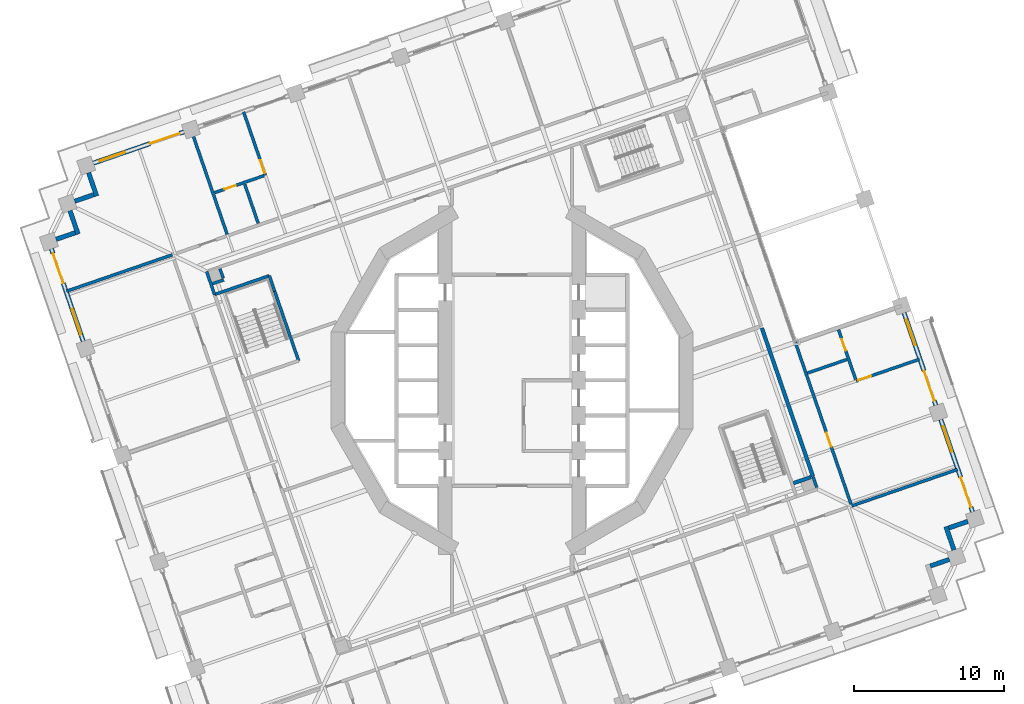
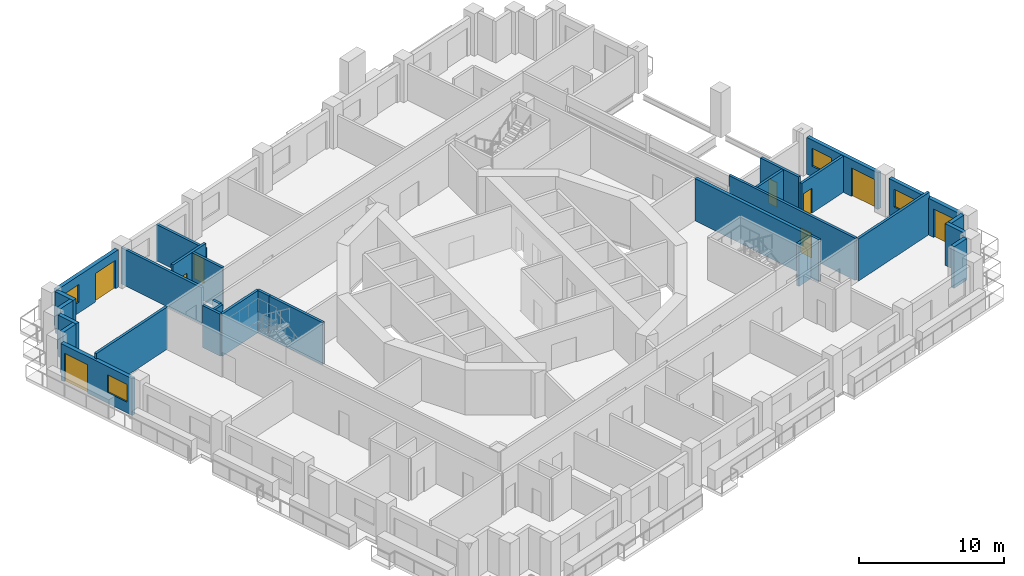
# One storey, part 10 of 19: 30 walls, 9 doors, 4 windows, 13 openings.
"""IFC4 building model written with IfcOpenShell, lengths in metres."""

from ifc_helpers import new_model, si_unit, direction, frame, frame_2d, origin, place, context, subcontext, project, spatial, rectangle, extrude, material, layer, layer_set, type_object, element, fill, save


model = new_model("IFC4")

# Units and contexts
model_context = context("Model", 3, precision=1e-05, world=origin(), true_north=direction((0.0, 1.0)))
body_context = subcontext(model_context, "Body", "Model", "MODEL_VIEW")
ifc_project = project(units=[si_unit("LENGTHUNIT", "METRE"), si_unit("AREAUNIT", "SQUARE_METRE"), si_unit("VOLUMEUNIT", "CUBIC_METRE"), si_unit("PLANEANGLEUNIT", "RADIAN"), si_unit("MASSUNIT", "GRAM", prefix="KILO")], contexts=[model_context])

# Site, building, storey
site_placement = place(None, origin())
site = spatial("IfcSite", under=ifc_project, at=site_placement, CompositionType="ELEMENT")
building_placement = place(site_placement, origin())
building = spatial("IfcBuilding", under=site, at=building_placement, Name="Cantera Rosa Tower", CompositionType="ELEMENT")
storey_placement = place(building_placement, frame((0.0, 0.0, 126.89990234375)))
storey = spatial("IfcBuildingStorey", under=building, at=storey_placement, Name="L26", CompositionType="ELEMENT", Elevation=126.89990234375)

# Walls
ifc_material_1 = material(Name="Gypsum board partition")
ifc_layer_1 = layer(ifc_material_1, 0.199951171875)
ifc_layer_set_1 = layer_set([ifc_layer_1], Name="CORRIDOR WALL 200 H3550")
wall_type_1 = type_object("IfcWallType", Name="CORRIDOR WALL 200 H3550", PredefinedType="PARTITIONING", material=ifc_layer_set_1)
wall_1_placement = place(storey_placement, frame((-20.37451171875, 7.262451171875, 0.0), z_axis=(0.0, 0.0, 1.0), x_axis=(0.325532736599, -0.945530770204, 0.0)))
element("IfcWall", 1, at=wall_1_placement, inside=storey, type_object=wall_type_1, Name="CORRIDOR WALL L26-003", PredefinedType="PARTITIONING", context=body_context, shape_type="SweptSolid", body=[
    extrude(rectangle(XDim=1.626708984375, YDim=0.199951171875, at=frame_2d((0.8134765625, 0.0))), origin(), (0.0, 0.0, 1.0), 3.550048828125),
])
wall_2_placement = place(storey_placement, frame((20.33544921875, -7.14892578125, 0.0), z_axis=(0.0, 0.0, 1.0), x_axis=(-0.32575306004, 0.945454887276, 0.0)))
element("IfcWall", 2, at=wall_2_placement, inside=storey, type_object=wall_type_1, Name="CORRIDOR WALL L26-095", PredefinedType="PARTITIONING", context=body_context, shape_type="SweptSolid", body=[
    extrude(rectangle(XDim=0.760009765625, YDim=0.199951171875, at=frame_2d((0.3798828125, 0.0))), origin(), (0.0, 0.0, 1.0), 3.550048828125),
])

# Wall, opening, door
wall_3_placement = place(storey_placement, frame((22.623291015625, -8.264892578125, 0.0), z_axis=(0.0, 0.0, 1.0), x_axis=(-0.325576165676, 0.945515817077, 0.0)))
wall_3 = element("IfcWall", 3, at=wall_3_placement, inside=storey, type_object=wall_type_1, Name="CORRIDOR WALL L26-098", PredefinedType="PARTITIONING", context=body_context, shape_type="SweptSolid", body=[
    extrude(rectangle(XDim=11.544921875, YDim=0.199951171875, at=frame_2d((5.7724609375, 0.0))), origin(), (0.0, 0.0, 1.0), 3.550048828125),
])
opening_1_placement = place(wall_3_placement, frame((4.050048828125, 0.0, 0.0)))
opening_1 = element("IfcOpeningElement", 4, at=opening_1_placement, cuts=wall_3, Name="Opening L26-015", PredefinedType="OPENING", context=body_context, shape_type="SweptSolid", body=[
    extrude(rectangle(XDim=1.0, YDim=2.10009765625, at=frame_2d((0.5, 1.050048828125))), frame((0.0, 0.10986328125, 0.0), z_axis=(0.0, -1.0, 0.0), x_axis=(1.0, 0.0, 0.0)), (0.0, 0.0, 1.0), 0.219970703125),
])
ifc_material_2 = material(Name="Timber door leaf", Category="wood")
door_type_1 = type_object("IfcDoorType", Name="ENTRANCE DOOR 1000x2100", OperationType="NOTDEFINED", PredefinedType="DOOR", material=ifc_material_2)
door_1_placement = place(opening_1_placement, origin())
door_1 = element("IfcDoor", 5, at=door_1_placement, inside=storey, type_object=door_type_1, Name="DOOR L26-015", OperationType="NOTDEFINED", OverallHeight=2.10009765625, OverallWidth=1.0, PredefinedType="DOOR", context=body_context, shape_type="SweptSolid", body=[
    extrude(rectangle(XDim=1.0, YDim=2.10009765625, at=frame_2d((0.5, 1.050048828125))), frame((0.0, 0.02490234375, 0.0), z_axis=(0.0, -1.0, 0.0), x_axis=(1.0, 0.0, 0.0)), (0.0, 0.0, 1.0), 0.050048828125),
])
fill(opening_1, door_1)

# Walls
ifc_material_3 = material(Name="Hollow clay masonry with cantera stone cladding", Category="masonry")
ifc_layer_2 = layer(ifc_material_3, 0.300048828125)
ifc_layer_set_2 = layer_set([ifc_layer_2], Name="EW-LOGGIA 300")
wall_type_2 = type_object("IfcWallType", Name="EW-LOGGIA 300", PredefinedType="SOLIDWALL", material=ifc_layer_set_2)
wall_4_placement = place(storey_placement, frame((-28.250732421875, 13.857421875, 0.0), z_axis=(0.0, 0.0, 1.0), x_axis=(0.325666906351, -0.945484566827, 0.0)))
element("IfcWall", 6, at=wall_4_placement, inside=storey, type_object=wall_type_2, Name="EN-L26-W14a", PredefinedType="SOLIDWALL", context=body_context, shape_type="SweptSolid", body=[
    extrude(rectangle(XDim=1.64990234375, YDim=0.300048828125, at=frame_2d((0.824951171875, 0.0))), origin(), (0.0, 0.0, 1.0), 3.5),
])
wall_5_placement = place(storey_placement, frame((-27.904052734375, 12.390380859375, 0.0), z_axis=(0.0, 0.0, 1.0), x_axis=(-0.945545797087, -0.325489086777, 0.0)))
element("IfcWall", 7, at=wall_5_placement, inside=storey, type_object=wall_type_2, Name="EN-L26-W14b", PredefinedType="SOLIDWALL", context=body_context, shape_type="SweptSolid", body=[
    extrude(rectangle(XDim=1.35009765625, YDim=0.300048828125, at=frame_2d((0.675048828125, 0.0))), origin(), (0.0, 0.0, 1.0), 3.5),
])
wall_6_placement = place(storey_placement, frame((-29.490478515625, 11.315185546875, 0.0), z_axis=(0.0, 0.0, 1.0), x_axis=(0.32553462645, -0.945530119553, 0.0)))
element("IfcWall", 8, at=wall_6_placement, inside=storey, type_object=wall_type_2, Name="EN-L26-W15a", PredefinedType="SOLIDWALL", context=body_context, shape_type="SweptSolid", body=[
    extrude(rectangle(XDim=1.64990234375, YDim=0.300048828125, at=frame_2d((0.824951171875, 0.0))), origin(), (0.0, 0.0, 1.0), 3.5),
])
wall_7_placement = place(storey_placement, frame((-29.14404296875, 9.84814453125, 0.0), z_axis=(0.0, 0.0, 1.0), x_axis=(-0.945526634763, -0.325544748006, 0.0)))
element("IfcWall", 9, at=wall_7_placement, inside=storey, type_object=wall_type_2, Name="EN-L26-W15b", PredefinedType="SOLIDWALL", context=body_context, shape_type="SweptSolid", body=[
    extrude(rectangle(XDim=1.349853515625, YDim=0.300048828125, at=frame_2d((0.6748046875, 0.0))), origin(), (0.0, 0.0, 1.0), 3.5),
])
wall_8_placement = place(storey_placement, frame((27.904052734375, -12.390380859375, 0.0), z_axis=(0.0, 0.0, 1.0), x_axis=(0.945545797087, 0.325489086777, 0.0)))
element("IfcWall", 10, at=wall_8_placement, inside=storey, type_object=wall_type_2, Name="EN-L26-W29b", PredefinedType="SOLIDWALL", context=body_context, shape_type="SweptSolid", body=[
    extrude(rectangle(XDim=1.35009765625, YDim=0.300048828125, at=frame_2d((0.675048828125, 0.0))), origin(), (0.0, 0.0, 1.0), 3.5),
])
wall_9_placement = place(storey_placement, frame((29.490478515625, -11.315185546875, 0.0), z_axis=(0.0, 0.0, 1.0), x_axis=(-0.32553462645, 0.945530119553, 0.0)))
element("IfcWall", 11, at=wall_9_placement, inside=storey, type_object=wall_type_2, Name="EN-L26-W30a", PredefinedType="SOLIDWALL", context=body_context, shape_type="SweptSolid", body=[
    extrude(rectangle(XDim=1.64990234375, YDim=0.300048828125, at=frame_2d((0.824951171875, 0.0))), origin(), (0.0, 0.0, 1.0), 3.5),
])
wall_10_placement = place(storey_placement, frame((29.14404296875, -9.84814453125, 0.0), z_axis=(0.0, 0.0, 1.0), x_axis=(0.945526634763, 0.325544748006, 0.0)))
element("IfcWall", 12, at=wall_10_placement, inside=storey, type_object=wall_type_2, Name="EN-L26-W30b", PredefinedType="SOLIDWALL", context=body_context, shape_type="SweptSolid", body=[
    extrude(rectangle(XDim=1.349853515625, YDim=0.300048828125, at=frame_2d((0.6748046875, 0.0))), origin(), (0.0, 0.0, 1.0), 3.5),
])

# Wall, openings, window, door
ifc_material_4 = material(Name="Hollow clay masonry with cantera stone cladding", Category="masonry")
ifc_layer_3 = layer(ifc_material_4, 0.300048828125)
ifc_layer_set_3 = layer_set([ifc_layer_3], Name="EW-LOGGIA 300 H3090")
wall_type_3 = type_object("IfcWallType", Name="EW-LOGGIA 300 H3090", PredefinedType="SOLIDWALL", material=ifc_layer_set_3)
wall_11_placement = place(storey_placement, frame((30.73046875, -8.773193359375, 0.0), z_axis=(0.0, 0.0, 1.0), x_axis=(-0.325580990241, 0.945514155787, 0.0)))
wall_11 = element("IfcWall", 13, at=wall_11_placement, inside=storey, type_object=wall_type_3, Name="EN-L26-W01", PredefinedType="SOLIDWALL", context=body_context, shape_type="SweptSolid", body=[
    extrude(rectangle(XDim=6.52001953125, YDim=0.300048828125, at=frame_2d((3.260009765625, 0.0))), origin(), (0.0, 0.0, 1.0), 3.090087890625),
])
opening_2_placement = place(wall_11_placement, frame((0.330078125, 0.0, 0.0)))
opening_2 = element("IfcOpeningElement", 14, at=opening_2_placement, cuts=wall_11, Name="Opening L26-TD01", PredefinedType="OPENING", context=body_context, shape_type="SweptSolid", body=[
    extrude(rectangle(XDim=2.10009765625, YDim=2.39990234375, at=frame_2d((1.050048828125, 1.199951171875))), frame((0.0, 0.159912109375, 0.0), z_axis=(0.0, -1.0, 0.0), x_axis=(1.0, 0.0, 0.0)), (0.0, 0.0, 1.0), 0.320068359375),
])
opening_3_placement = place(wall_11_placement, frame((4.239990234375, 0.0, 0.89990234375)))
opening_3 = element("IfcOpeningElement", 15, at=opening_3_placement, cuts=wall_11, Name="Opening L26-W02", PredefinedType="OPENING", context=body_context, shape_type="SweptSolid", body=[
    extrude(rectangle(XDim=1.800048828125, YDim=1.5, at=frame_2d((0.89990234375, 0.75))), frame((0.0, 0.159912109375, 0.0), z_axis=(0.0, -1.0, 0.0), x_axis=(1.0, 0.0, 0.0)), (0.0, 0.0, 1.0), 0.320068359375),
])
ifc_material_5 = material(Name="Aluminium frame with clear glass", Category="aluminium")
window_type = type_object("IfcWindowType", Name="Hotel room window 1800x1500", PartitioningType="DOUBLE_PANEL_VERTICAL", PredefinedType="WINDOW", material=ifc_material_5)
window_1_placement = place(opening_3_placement, origin())
window_1 = element("IfcWindow", 16, at=window_1_placement, inside=storey, type_object=window_type, Name="WINDOW L26-W02", OverallHeight=1.5, OverallWidth=1.800048828125, PartitioningType="SINGLE_PANEL", PredefinedType="WINDOW", context=body_context, shape_type="SweptSolid", body=[
    extrude(rectangle(XDim=1.800048828125, YDim=1.5, at=frame_2d((0.89990234375, 0.75))), frame((0.0, 0.030029296875, 0.0), z_axis=(0.0, -1.0, 0.0), x_axis=(1.0, 0.0, 0.0)), (0.0, 0.0, 1.0), 0.06005859375),
])
fill(opening_3, window_1)
ifc_material_6 = material(Name="Aluminium frame with clear glass", Category="aluminium")
door_type_2 = type_object("IfcDoorType", Name="TD-H 2100x2400", OperationType="NOTDEFINED", PredefinedType="DOOR", material=ifc_material_6)
door_2_placement = place(opening_2_placement, origin())
door_2 = element("IfcDoor", 17, at=door_2_placement, inside=storey, type_object=door_type_2, Name="LOGGIA DOOR L26-TD01", OperationType="SLIDING_TO_LEFT", OverallHeight=2.39990234375, OverallWidth=2.10009765625, PredefinedType="DOOR", context=body_context, shape_type="SweptSolid", body=[
    extrude(rectangle(XDim=2.10009765625, YDim=2.39990234375, at=frame_2d((1.050048828125, 1.199951171875))), frame((0.0, 0.02490234375, 0.0), z_axis=(0.0, -1.0, 0.0), x_axis=(1.0, 0.0, 0.0)), (0.0, 0.0, 1.0), 0.050048828125),
])
fill(opening_2, door_2)

wall_12_placement = place(storey_placement, frame((28.2822265625, -1.662841796875, 0.0), z_axis=(0.0, 0.0, 1.0), x_axis=(-0.325580990241, 0.945514155787, 0.0)))
wall_12 = element("IfcWall", 18, at=wall_12_placement, inside=storey, type_object=wall_type_3, Name="EN-L26-W02", PredefinedType="SOLIDWALL", context=body_context, shape_type="SweptSolid", body=[
    extrude(rectangle(XDim=6.52001953125, YDim=0.300048828125, at=frame_2d((3.260009765625, 0.0))), origin(), (0.0, 0.0, 1.0), 3.090087890625),
])
opening_4_placement = place(wall_12_placement, frame((0.330078125, 0.0, 0.0)))
opening_4 = element("IfcOpeningElement", 19, at=opening_4_placement, cuts=wall_12, Name="Opening L26-TD03", PredefinedType="OPENING", context=body_context, shape_type="SweptSolid", body=[
    extrude(rectangle(XDim=2.10009765625, YDim=2.39990234375, at=frame_2d((1.050048828125, 1.199951171875))), frame((0.0, 0.159912109375, 0.0), z_axis=(0.0, -1.0, 0.0), x_axis=(1.0, 0.0, 0.0)), (0.0, 0.0, 1.0), 0.320068359375),
])
opening_5_placement = place(wall_12_placement, frame((4.239990234375, 0.0, 0.89990234375)))
opening_5 = element("IfcOpeningElement", 20, at=opening_5_placement, cuts=wall_12, Name="Opening L26-W04", PredefinedType="OPENING", context=body_context, shape_type="SweptSolid", body=[
    extrude(rectangle(XDim=1.800048828125, YDim=1.5, at=frame_2d((0.89990234375, 0.75))), frame((0.0, 0.159912109375, 0.0), z_axis=(0.0, -1.0, 0.0), x_axis=(1.0, 0.0, 0.0)), (0.0, 0.0, 1.0), 0.320068359375),
])
window_2_placement = place(opening_5_placement, origin())
window_2 = element("IfcWindow", 21, at=window_2_placement, inside=storey, type_object=window_type, Name="WINDOW L26-W04", OverallHeight=1.5, OverallWidth=1.800048828125, PartitioningType="SINGLE_PANEL", PredefinedType="WINDOW", context=body_context, shape_type="SweptSolid", body=[
    extrude(rectangle(XDim=1.800048828125, YDim=1.5, at=frame_2d((0.89990234375, 0.75))), frame((0.0, 0.030029296875, 0.0), z_axis=(0.0, -1.0, 0.0), x_axis=(1.0, 0.0, 0.0)), (0.0, 0.0, 1.0), 0.06005859375),
])
fill(opening_5, window_2)
door_3_placement = place(opening_4_placement, origin())
door_3 = element("IfcDoor", 22, at=door_3_placement, inside=storey, type_object=door_type_2, Name="LOGGIA DOOR L26-TD03", OperationType="SLIDING_TO_LEFT", OverallHeight=2.39990234375, OverallWidth=2.10009765625, PredefinedType="DOOR", context=body_context, shape_type="SweptSolid", body=[
    extrude(rectangle(XDim=2.10009765625, YDim=2.39990234375, at=frame_2d((1.050048828125, 1.199951171875))), frame((0.0, 0.02490234375, 0.0), z_axis=(0.0, -1.0, 0.0), x_axis=(1.0, 0.0, 0.0)), (0.0, 0.0, 1.0), 0.050048828125),
])
fill(opening_4, door_3)

wall_13_placement = place(storey_placement, frame((-30.73046875, 8.773193359375, 0.0), z_axis=(0.0, 0.0, 1.0), x_axis=(0.325580990241, -0.945514155787, 0.0)))
wall_13 = element("IfcWall", 23, at=wall_13_placement, inside=storey, type_object=wall_type_3, Name="EN-L26-W16", PredefinedType="SOLIDWALL", context=body_context, shape_type="SweptSolid", body=[
    extrude(rectangle(XDim=6.52001953125, YDim=0.300048828125, at=frame_2d((3.260009765625, 0.0))), origin(), (0.0, 0.0, 1.0), 3.090087890625),
])
opening_6_placement = place(wall_13_placement, frame((0.330078125, 0.0, 0.0)))
opening_6 = element("IfcOpeningElement", 24, at=opening_6_placement, cuts=wall_13, Name="Opening L26-TD19", PredefinedType="OPENING", context=body_context, shape_type="SweptSolid", body=[
    extrude(rectangle(XDim=2.10009765625, YDim=2.39990234375, at=frame_2d((1.050048828125, 1.199951171875))), frame((0.0, 0.159912109375, 0.0), z_axis=(0.0, -1.0, 0.0), x_axis=(1.0, 0.0, 0.0)), (0.0, 0.0, 1.0), 0.320068359375),
])
opening_7_placement = place(wall_13_placement, frame((4.239990234375, 0.0, 0.89990234375)))
opening_7 = element("IfcOpeningElement", 25, at=opening_7_placement, cuts=wall_13, Name="Opening L26-W20", PredefinedType="OPENING", context=body_context, shape_type="SweptSolid", body=[
    extrude(rectangle(XDim=1.800048828125, YDim=1.5, at=frame_2d((0.89990234375, 0.75))), frame((0.0, 0.159912109375, 0.0), z_axis=(0.0, -1.0, 0.0), x_axis=(1.0, 0.0, 0.0)), (0.0, 0.0, 1.0), 0.320068359375),
])
window_3_placement = place(opening_7_placement, origin())
window_3 = element("IfcWindow", 26, at=window_3_placement, inside=storey, type_object=window_type, Name="WINDOW L26-W20", OverallHeight=1.5, OverallWidth=1.800048828125, PartitioningType="SINGLE_PANEL", PredefinedType="WINDOW", context=body_context, shape_type="SweptSolid", body=[
    extrude(rectangle(XDim=1.800048828125, YDim=1.5, at=frame_2d((0.89990234375, 0.75))), frame((0.0, 0.030029296875, 0.0), z_axis=(0.0, -1.0, 0.0), x_axis=(1.0, 0.0, 0.0)), (0.0, 0.0, 1.0), 0.06005859375),
])
fill(opening_7, window_3)
door_4_placement = place(opening_6_placement, origin())
door_4 = element("IfcDoor", 27, at=door_4_placement, inside=storey, type_object=door_type_2, Name="LOGGIA DOOR L26-TD19", OperationType="SLIDING_TO_LEFT", OverallHeight=2.39990234375, OverallWidth=2.10009765625, PredefinedType="DOOR", context=body_context, shape_type="SweptSolid", body=[
    extrude(rectangle(XDim=2.10009765625, YDim=2.39990234375, at=frame_2d((1.050048828125, 1.199951171875))), frame((0.0, 0.02490234375, 0.0), z_axis=(0.0, -1.0, 0.0), x_axis=(1.0, 0.0, 0.0)), (0.0, 0.0, 1.0), 0.050048828125),
])
fill(opening_6, door_4)

ifc_material_7 = material(Name="Hollow clay masonry with cantera stone cladding", Category="masonry")
ifc_layer_4 = layer(ifc_material_7, 0.300048828125)
ifc_layer_set_4 = layer_set([ifc_layer_4], Name="EW-LOGGIA 300 H3140")
wall_type_4 = type_object("IfcWallType", Name="EW-LOGGIA 300 H3140", PredefinedType="SOLIDWALL", material=ifc_layer_set_4)
wall_14_placement = place(storey_placement, frame((-21.889404296875, 16.57666015625, 0.0), z_axis=(0.0, 0.0, 1.0), x_axis=(-0.945512753621, -0.325585062219, 0.0)))
wall_14 = element("IfcWall", 28, at=wall_14_placement, inside=storey, type_object=wall_type_4, Name="EN-L26-W13", PredefinedType="SOLIDWALL", context=body_context, shape_type="SweptSolid", body=[
    extrude(rectangle(XDim=6.39990234375, YDim=0.300048828125, at=frame_2d((3.199951171875, 0.0))), origin(), (0.0, 0.0, 1.0), 3.14013671875),
])
opening_8_placement = place(wall_14_placement, frame((0.300048828125, 0.0, 0.0)))
opening_8 = element("IfcOpeningElement", 29, at=opening_8_placement, cuts=wall_14, Name="Opening L26-TD17", PredefinedType="OPENING", context=body_context, shape_type="SweptSolid", body=[
    extrude(rectangle(XDim=2.10009765625, YDim=2.39990234375, at=frame_2d((1.050048828125, 1.199951171875))), frame((0.0, 0.159912109375, 0.0), z_axis=(0.0, -1.0, 0.0), x_axis=(1.0, 0.0, 0.0)), (0.0, 0.0, 1.0), 0.320068359375),
])
opening_9_placement = place(wall_14_placement, frame((4.14990234375, 0.0, 0.89990234375)))
opening_9 = element("IfcOpeningElement", 30, at=opening_9_placement, cuts=wall_14, Name="Opening L26-W18", PredefinedType="OPENING", context=body_context, shape_type="SweptSolid", body=[
    extrude(rectangle(XDim=1.800048828125, YDim=1.5, at=frame_2d((0.89990234375, 0.75))), frame((0.0, 0.159912109375, 0.0), z_axis=(0.0, -1.0, 0.0), x_axis=(1.0, 0.0, 0.0)), (0.0, 0.0, 1.0), 0.320068359375),
])
window_4_placement = place(opening_9_placement, origin())
window_4 = element("IfcWindow", 31, at=window_4_placement, inside=storey, type_object=window_type, Name="WINDOW L26-W18", OverallHeight=1.5, OverallWidth=1.800048828125, PartitioningType="SINGLE_PANEL", PredefinedType="WINDOW", context=body_context, shape_type="SweptSolid", body=[
    extrude(rectangle(XDim=1.800048828125, YDim=1.5, at=frame_2d((0.89990234375, 0.75))), frame((0.0, 0.030029296875, 0.0), z_axis=(0.0, -1.0, 0.0), x_axis=(1.0, 0.0, 0.0)), (0.0, 0.0, 1.0), 0.06005859375),
])
fill(opening_9, window_4)
door_5_placement = place(opening_8_placement, origin())
door_5 = element("IfcDoor", 32, at=door_5_placement, inside=storey, type_object=door_type_2, Name="LOGGIA DOOR L26-TD17", OperationType="SLIDING_TO_LEFT", OverallHeight=2.39990234375, OverallWidth=2.10009765625, PredefinedType="DOOR", context=body_context, shape_type="SweptSolid", body=[
    extrude(rectangle(XDim=2.10009765625, YDim=2.39990234375, at=frame_2d((1.050048828125, 1.199951171875))), frame((0.0, 0.02490234375, 0.0), z_axis=(0.0, -1.0, 0.0), x_axis=(1.0, 0.0, 0.0)), (0.0, 0.0, 1.0), 0.050048828125),
])
fill(opening_8, door_5)

# Wall, opening, door
ifc_material_8 = material(Name="Gypsum board partition")
ifc_layer_5 = layer(ifc_material_8, 0.199951171875)
ifc_layer_set_5 = layer_set([ifc_layer_5], Name="PARTITION 200 H3050")
wall_type_5 = type_object("IfcWallType", Name="PARTITION 200 H3050", PredefinedType="PARTITIONING", material=ifc_layer_set_5)
wall_15_placement = place(storey_placement, frame((-17.908447265625, 17.915771484375, 0.0), z_axis=(0.0, 0.0, 1.0), x_axis=(0.325568171973, -0.945518569568, 0.0)))
wall_15 = element("IfcWall", 33, at=wall_15_placement, inside=storey, type_object=wall_type_5, Name="PARTITION L26-011", PredefinedType="PARTITIONING", context=body_context, shape_type="SweptSolid", body=[
    extrude(rectangle(XDim=4.47021484375, YDim=0.199951171875, at=frame_2d((2.235107421875, 0.0))), origin(), (0.0, 0.0, 1.0), 3.050048828125),
])
opening_10_placement = place(wall_15_placement, frame((3.419921875, 0.0, 0.0)))
opening_10 = element("IfcOpeningElement", 34, at=opening_10_placement, cuts=wall_15, Name="Opening L26-022", PredefinedType="OPENING", context=body_context, shape_type="SweptSolid", body=[
    extrude(rectangle(XDim=0.89990234375, YDim=2.10009765625, at=frame_2d((0.449951171875, 1.050048828125))), frame((0.0, 0.10986328125, 0.0), z_axis=(0.0, -1.0, 0.0), x_axis=(1.0, 0.0, 0.0)), (0.0, 0.0, 1.0), 0.219970703125),
])
ifc_material_9 = material(Name="Timber door leaf", Category="wood")
door_type_3 = type_object("IfcDoorType", Name="ROOM DOOR 900x2100", OperationType="NOTDEFINED", PredefinedType="DOOR", material=ifc_material_9)
door_6_placement = place(opening_10_placement, origin())
door_6 = element("IfcDoor", 35, at=door_6_placement, inside=storey, type_object=door_type_3, Name="DOOR L26-022", OperationType="NOTDEFINED", OverallHeight=2.10009765625, OverallWidth=0.89990234375, PredefinedType="DOOR", context=body_context, shape_type="SweptSolid", body=[
    extrude(rectangle(XDim=0.89990234375, YDim=2.10009765625, at=frame_2d((0.449951171875, 1.050048828125))), frame((0.0, 0.02490234375, 0.0), z_axis=(0.0, -1.0, 0.0), x_axis=(1.0, 0.0, 0.0)), (0.0, 0.0, 1.0), 0.050048828125),
])
fill(opening_10, door_6)

wall_16_placement = place(storey_placement, frame((27.1923828125, 1.409912109375, 0.0), z_axis=(0.0, 0.0, 1.0), x_axis=(-0.945512780078, -0.325584985388, 0.0)))
wall_16 = element("IfcWall", 36, at=wall_16_placement, inside=storey, type_object=wall_type_5, Name="PARTITION L26-102", PredefinedType="PARTITIONING", context=body_context, shape_type="SweptSolid", body=[
    extrude(rectangle(XDim=4.469970703125, YDim=0.199951171875, at=frame_2d((2.23486328125, 0.0))), origin(), (0.0, 0.0, 1.0), 3.050048828125),
])
opening_11_placement = place(wall_16_placement, frame((3.419921875, 0.0, 0.0)))
opening_11 = element("IfcOpeningElement", 37, at=opening_11_placement, cuts=wall_16, Name="Opening L26-016", PredefinedType="OPENING", context=body_context, shape_type="SweptSolid", body=[
    extrude(rectangle(XDim=0.89990234375, YDim=2.10009765625, at=frame_2d((0.449951171875, 1.050048828125))), frame((0.0, 0.10986328125, 0.0), z_axis=(0.0, -1.0, 0.0), x_axis=(1.0, 0.0, 0.0)), (0.0, 0.0, 1.0), 0.219970703125),
])
door_7_placement = place(opening_11_placement, origin())
door_7 = element("IfcDoor", 38, at=door_7_placement, inside=storey, type_object=door_type_3, Name="DOOR L26-016", OperationType="NOTDEFINED", OverallHeight=2.10009765625, OverallWidth=0.89990234375, PredefinedType="DOOR", context=body_context, shape_type="SweptSolid", body=[
    extrude(rectangle(XDim=0.89990234375, YDim=2.10009765625, at=frame_2d((0.449951171875, 1.050048828125))), frame((0.0, 0.02490234375, 0.0), z_axis=(0.0, -1.0, 0.0), x_axis=(1.0, 0.0, 0.0)), (0.0, 0.0, 1.0), 0.050048828125),
])
fill(opening_11, door_7)

# Walls
ifc_material_10 = material(Name="Gypsum board partition")
ifc_layer_6 = layer(ifc_material_10, 0.199951171875)
ifc_layer_set_6 = layer_set([ifc_layer_6], Name="PARTITION 200 H3550")
wall_type_6 = type_object("IfcWallType", Name="PARTITION 200 H3550", PredefinedType="PARTITIONING", material=ifc_layer_set_6)
wall_17_placement = place(storey_placement, frame((-22.662353515625, 8.37841796875, 0.0), z_axis=(0.0, 0.0, 1.0), x_axis=(-0.945512517373, -0.325585748291, 0.0)))
element("IfcWall", 39, at=wall_17_placement, inside=storey, type_object=wall_type_6, Name="PARTITION L26-001", PredefinedType="PARTITIONING", context=body_context, shape_type="SweptSolid", body=[
    extrude(rectangle(XDim=7.469970703125, YDim=0.199951171875, at=frame_2d((3.73486328125, 0.0))), origin(), (0.0, 0.0, 1.0), 3.550048828125),
])
wall_18_placement = place(storey_placement, frame((-19.98681640625, 6.444091796875, 0.0), z_axis=(0.0, 0.0, 1.0), x_axis=(0.945586856903, 0.325369783557, 0.0)))
element("IfcWall", 40, at=wall_18_placement, inside=storey, type_object=wall_type_6, Name="PARTITION L26-004", PredefinedType="PARTITIONING", context=body_context, shape_type="SweptSolid", body=[
    extrude(rectangle(XDim=0.7998046875, YDim=0.199951171875, at=frame_2d((0.39990234375, 0.0))), origin(), (0.0, 0.0, 1.0), 3.550048828125),
])
wall_19_placement = place(storey_placement, frame((-19.26953125, 6.81787109375, 0.0), z_axis=(0.0, 0.0, 1.0), x_axis=(-0.32553462645, 0.945530119553, 0.0)))
element("IfcWall", 41, at=wall_19_placement, inside=storey, type_object=wall_type_6, Name="PARTITION L26-007", PredefinedType="PARTITIONING", context=body_context, shape_type="SweptSolid", body=[
    extrude(rectangle(XDim=0.659912109375, YDim=0.199951171875, at=frame_2d((0.330078125, 0.0))), origin(), (0.0, 0.0, 1.0), 3.550048828125),
])
wall_20_placement = place(storey_placement, frame((-17.83251953125, 13.08740234375, 0.0), z_axis=(0.0, 0.0, 1.0), x_axis=(0.325606281984, -0.945505446379, 0.0)))
element("IfcWall", 42, at=wall_20_placement, inside=storey, type_object=wall_type_6, Name="PARTITION L26-014", PredefinedType="PARTITIONING", context=body_context, shape_type="SweptSolid", body=[
    extrude(rectangle(XDim=2.760009765625, YDim=0.199951171875, at=frame_2d((1.3798828125, 0.0))), origin(), (0.0, 0.0, 1.0), 3.550048828125),
])

# Wall, opening, door
wall_21_placement = place(storey_placement, frame((-16.547607421875, 13.656494140625, 0.0), z_axis=(0.0, 0.0, 1.0), x_axis=(-0.945536877918, -0.325514995811, 0.0)))
wall_21 = element("IfcWall", 43, at=wall_21_placement, inside=storey, type_object=wall_type_6, Name="PARTITION L26-016", PredefinedType="PARTITIONING", context=body_context, shape_type="SweptSolid", body=[
    extrude(rectangle(XDim=3.47998046875, YDim=0.199951171875, at=frame_2d((1.739990234375, 0.0))), origin(), (0.0, 0.0, 1.0), 3.550048828125),
])
opening_12_placement = place(wall_21_placement, frame((1.989990234375, 0.0, 0.0)))
opening_12 = element("IfcOpeningElement", 44, at=opening_12_placement, cuts=wall_21, Name="Opening L26-023", PredefinedType="OPENING", context=body_context, shape_type="SweptSolid", body=[
    extrude(rectangle(XDim=0.800048828125, YDim=2.10009765625, at=frame_2d((0.39990234375, 1.050048828125))), frame((0.0, 0.10986328125, 0.0), z_axis=(0.0, -1.0, 0.0), x_axis=(1.0, 0.0, 0.0)), (0.0, 0.0, 1.0), 0.219970703125),
])
ifc_material_11 = material(Name="Timber door leaf", Category="wood")
door_type_4 = type_object("IfcDoorType", Name="BATHROOM DOOR 800x2100", OperationType="NOTDEFINED", PredefinedType="DOOR", material=ifc_material_11)
door_8_placement = place(opening_12_placement, origin())
door_8 = element("IfcDoor", 45, at=door_8_placement, inside=storey, type_object=door_type_4, Name="DOOR L26-023", OperationType="NOTDEFINED", OverallHeight=2.10009765625, OverallWidth=0.800048828125, PredefinedType="DOOR", context=body_context, shape_type="SweptSolid", body=[
    extrude(rectangle(XDim=0.800048828125, YDim=2.10009765625, at=frame_2d((0.39990234375, 1.050048828125))), frame((0.0, 0.02490234375, 0.0), z_axis=(0.0, -1.0, 0.0), x_axis=(1.0, 0.0, 0.0)), (0.0, 0.0, 1.0), 0.050048828125),
])
fill(opening_12, door_8)

# Wall
wall_22_placement = place(storey_placement, frame((22.3447265625, 1.390380859375, 0.0), z_axis=(0.0, 0.0, 1.0), x_axis=(-0.945528723608, -0.325538681008, 0.0)))
element("IfcWall", 46, at=wall_22_placement, inside=storey, type_object=wall_type_6, Name="PARTITION L26-097", PredefinedType="PARTITIONING", context=body_context, shape_type="SweptSolid", body=[
    extrude(rectangle(XDim=2.780029296875, YDim=0.199951171875, at=frame_2d((1.39013671875, 0.0))), origin(), (0.0, 0.0, 1.0), 3.550048828125),
])

# Wall, opening, door
wall_23_placement = place(storey_placement, frame((22.927001953125, 0.068115234375, 0.0), z_axis=(0.0, 0.0, 1.0), x_axis=(-0.325574193534, 0.945516496157, 0.0)))
wall_23 = element("IfcWall", 47, at=wall_23_placement, inside=storey, type_object=wall_type_6, Name="PARTITION L26-101", PredefinedType="PARTITIONING", context=body_context, shape_type="SweptSolid", body=[
    extrude(rectangle(XDim=3.5048828125, YDim=0.199951171875, at=frame_2d((1.75244140625, 0.0))), origin(), (0.0, 0.0, 1.0), 3.550048828125),
])
opening_13_placement = place(wall_23_placement, frame((2.030029296875, 0.0, 0.0)))
opening_13 = element("IfcOpeningElement", 48, at=opening_13_placement, cuts=wall_23, Name="Opening L26-017", PredefinedType="OPENING", context=body_context, shape_type="SweptSolid", body=[
    extrude(rectangle(XDim=0.800048828125, YDim=2.10009765625, at=frame_2d((0.39990234375, 1.050048828125))), frame((0.0, 0.10986328125, 0.0), z_axis=(0.0, -1.0, 0.0), x_axis=(1.0, 0.0, 0.0)), (0.0, 0.0, 1.0), 0.219970703125),
])
door_9_placement = place(opening_13_placement, origin())
door_9 = element("IfcDoor", 49, at=door_9_placement, inside=storey, type_object=door_type_4, Name="DOOR L26-017", OperationType="NOTDEFINED", OverallHeight=2.10009765625, OverallWidth=0.800048828125, PredefinedType="DOOR", context=body_context, shape_type="SweptSolid", body=[
    extrude(rectangle(XDim=0.800048828125, YDim=2.10009765625, at=frame_2d((0.39990234375, 1.050048828125))), frame((0.0, 0.02490234375, 0.0), z_axis=(0.0, -1.0, 0.0), x_axis=(1.0, 0.0, 0.0)), (0.0, 0.0, 1.0), 0.050048828125),
])
fill(opening_13, door_9)

# Walls
ifc_material_12 = material(Name="Gypsum board partition")
ifc_layer_7 = layer(ifc_material_12, 0.199951171875)
ifc_layer_set_7 = layer_set([ifc_layer_7], Name="PARTY WALL 200 H3050")
wall_type_7 = type_object("IfcWallType", Name="PARTY WALL 200 H3050", PredefinedType="PARTITIONING", material=ifc_layer_set_7)
wall_24_placement = place(storey_placement, frame((-19.00732421875, 9.74267578125, 0.0), z_axis=(0.0, 0.0, 1.0), x_axis=(-0.325603730276, 0.945506325114, 0.0)))
element("IfcWall", 50, at=wall_24_placement, inside=storey, type_object=wall_type_7, Name="PARTY WALL L26-008", PredefinedType="PARTITIONING", context=body_context, shape_type="SweptSolid", body=[
    extrude(rectangle(XDim=7.369873046875, YDim=0.199951171875, at=frame_2d((3.68505859375, 0.0))), origin(), (0.0, 0.0, 1.0), 3.050048828125),
])
ifc_material_13 = material(Name="Gypsum board partition")
ifc_layer_8 = layer(ifc_material_13, 0.199951171875)
ifc_layer_set_8 = layer_set([ifc_layer_8], Name="PARTY WALL 200 H3550")
wall_type_8 = type_object("IfcWallType", Name="PARTY WALL 200 H3550", PredefinedType="PARTITIONING", material=ifc_layer_set_8)
wall_25_placement = place(storey_placement, frame((29.725341796875, -5.9462890625, 0.0), z_axis=(0.0, 0.0, 1.0), x_axis=(-0.945512517373, -0.325585748291, 0.0)))
element("IfcWall", 51, at=wall_25_placement, inside=storey, type_object=wall_type_8, Name="PARTY WALL L26-103", PredefinedType="PARTITIONING", context=body_context, shape_type="SweptSolid", body=[
    extrude(rectangle(XDim=7.469970703125, YDim=0.199951171875, at=frame_2d((3.73486328125, 0.0))), origin(), (0.0, 0.0, 1.0), 3.550048828125),
])
ifc_material_14 = material(Name="Masonry blockwork", Category="masonry")
ifc_layer_9 = layer(ifc_material_14, 0.25)
ifc_layer_set_9 = layer_set([ifc_layer_9], Name="SHAFT WALL 250 H3550")
wall_type_9 = type_object("IfcWallType", Name="SHAFT WALL 250 H3550", PredefinedType="SOLIDWALL", material=ifc_layer_set_9)
wall_26_placement = place(storey_placement, frame((20.081298828125, -6.411376953125, 0.0), z_axis=(0.0, 0.0, 1.0), x_axis=(-0.325563471728, 0.945520187979, 0.0)))
element("IfcWall", 52, at=wall_26_placement, inside=storey, type_object=wall_type_9, Name="SHAFT WALL L26-093", PredefinedType="SOLIDWALL", context=body_context, shape_type="SweptSolid", body=[
    extrude(rectangle(XDim=10.47998046875, YDim=0.25, at=frame_2d((5.239990234375, 0.0))), origin(), (0.0, 0.0, 1.0), 3.550048828125),
])
wall_27_placement = place(storey_placement, frame((19.94921875, -6.45703125, 0.0), z_axis=(0.0, 0.0, 1.0), x_axis=(-0.945538581865, -0.325510046241, 0.0)))
element("IfcWall", 53, at=wall_27_placement, inside=storey, type_object=wall_type_9, Name="SHAFT WALL L26-094", PredefinedType="SOLIDWALL", context=body_context, shape_type="SweptSolid", body=[
    extrude(rectangle(XDim=1.23681640625, YDim=0.25, at=frame_2d((0.618408203125, 0.0))), origin(), (0.0, 0.0, 1.0), 3.550048828125),
])
ifc_material_15 = material(Name="Concrete C50/60", Category="concrete")
ifc_layer_10 = layer(ifc_material_15, 0.199951171875)
ifc_layer_set_10 = layer_set([ifc_layer_10], Name="STAIR WALL 200 H3550")
wall_type_10 = type_object("IfcWallType", Name="STAIR WALL 200 H3550", PredefinedType="SOLIDWALL", material=ifc_layer_set_10)
wall_28_placement = place(storey_placement, frame((-16.193115234375, 6.98193359375, 0.0), z_axis=(0.0, 0.0, 1.0), x_axis=(-0.945507920529, -0.325599097382, 0.0)))
element("IfcWall", 54, at=wall_28_placement, inside=storey, type_object=wall_type_10, Name="STAIR WALL L26-017", PredefinedType="SOLIDWALL", context=body_context, shape_type="SweptSolid", body=[
    extrude(rectangle(XDim=3.8623046875, YDim=0.199951171875, at=frame_2d((1.93115234375, 0.0))), origin(), (0.0, 0.0, 1.0), 3.550048828125),
])
wall_29_placement = place(storey_placement, frame((-14.239501953125, 1.308837890625, 0.0), z_axis=(0.0, 0.0, 1.0), x_axis=(-0.325599106316, 0.945507917453, 0.0)))
element("IfcWall", 55, at=wall_29_placement, inside=storey, type_object=wall_type_10, Name="STAIR WALL L26-020", PredefinedType="SOLIDWALL", context=body_context, shape_type="SweptSolid", body=[
    extrude(rectangle(XDim=4.900146484375, YDim=0.199951171875, at=frame_2d((2.4501953125, 0.0))), origin(), (0.0, 0.0, 1.0), 3.550048828125),
])
wall_30_placement = place(storey_placement, frame((-15.8349609375, 5.94189453125, 0.0), z_axis=(0.0, 0.0, 1.0), x_axis=(-0.325600768791, 0.945507344955, 0.0)))
element("IfcWall", 56, at=wall_30_placement, inside=storey, type_object=wall_type_10, Name="STAIR WALL L26-020 J", PredefinedType="SOLIDWALL", context=body_context, shape_type="SweptSolid", body=[
    extrude(rectangle(XDim=1.10009765625, YDim=0.199951171875, at=frame_2d((0.550048828125, 0.0))), origin(), (0.0, 0.0, 1.0), 3.550048828125),
])

save(model, "model.ifc")
